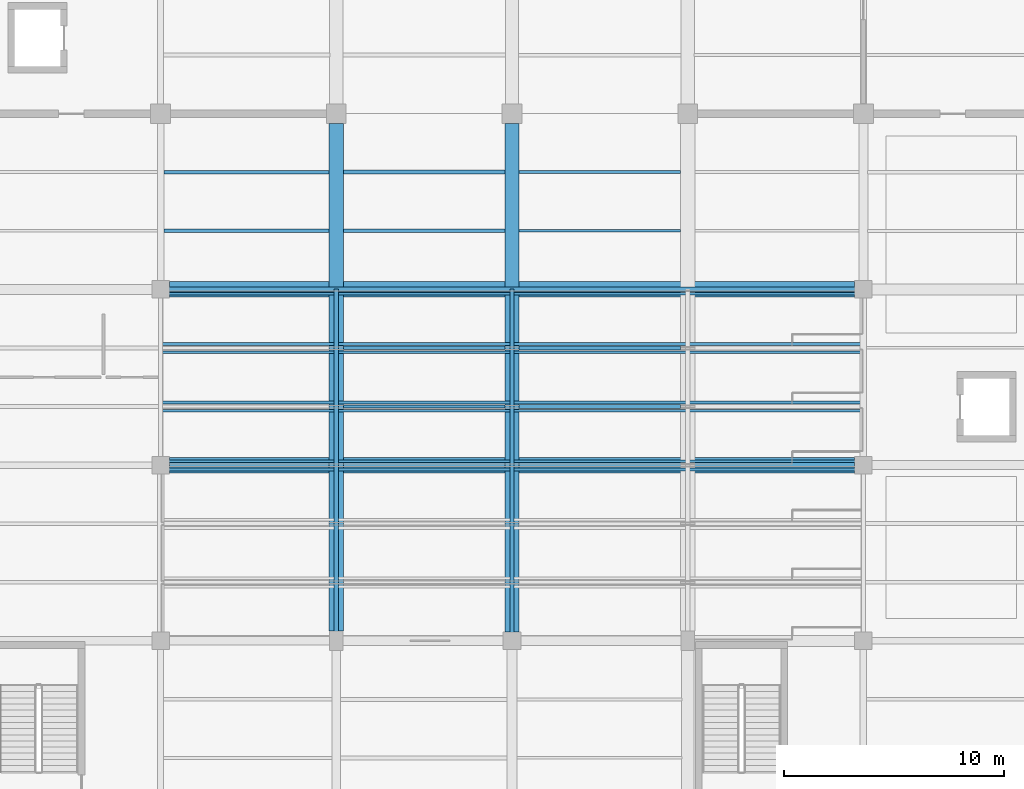
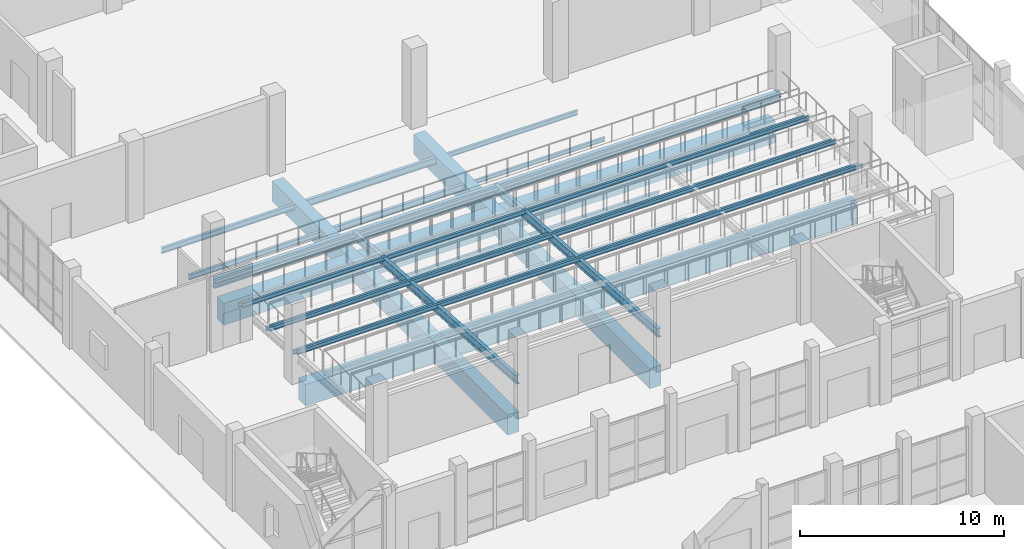
# One storey, part 34 of 156: 24 beams.
"""IFC4 building model written with IfcOpenShell, lengths in metres."""

from ifc_helpers import new_model, si_unit, direction, frame, origin, origin_2d, place, context, subcontext, project, spatial, rectangle, i_section, extrude, material, material_profile, profile_set, type_object, element, save


model = new_model("IFC4")

# Units and contexts
model_context = context("Model", 3, precision=1e-05, world=origin(), true_north=direction((0.0, 1.0)))
body_context = subcontext(model_context, "Body", "Model", "MODEL_VIEW")
ifc_project = project(units=[si_unit("LENGTHUNIT", "METRE"), si_unit("AREAUNIT", "SQUARE_METRE"), si_unit("VOLUMEUNIT", "CUBIC_METRE"), si_unit("PLANEANGLEUNIT", "RADIAN"), si_unit("MASSUNIT", "GRAM", prefix="KILO")], contexts=[model_context])

# Site, building, storey
site_placement = place(None, origin())
site = spatial("IfcSite", under=ifc_project, at=site_placement, CompositionType="ELEMENT")
building_placement = place(site_placement, origin())
building = spatial("IfcBuilding", under=site, at=building_placement, Name="Luwemba Playhouse", CompositionType="ELEMENT")
storey_placement = place(building_placement, origin())
storey = spatial("IfcBuildingStorey", under=building, at=storey_placement, Name="L00", CompositionType="ELEMENT", Elevation=0.0)

# Beams
ifc_material_1 = material(Name="Concrete C40/50", Category="concrete")
ifc_material_profile_1 = material_profile(ifc_material_1, rectangle(XDim=0.64990234375, YDim=1.199951171875, at=origin_2d()))
ifc_profile_set_1 = profile_set([ifc_material_profile_1], Name="Concrete C40/50")
beam_type_1 = type_object("IfcBeamType", Name="BM-RB11", PredefinedType="BEAM", material=ifc_profile_set_1)
beam_1_placement = place(storey_placement, frame((20.0, 44.449951171875, -0.89990234375), z_axis=(0.0, 1.0, 0.0), x_axis=(-1.0, 0.0, 0.0)))
element("IfcBeam", 1, at=beam_1_placement, inside=storey, type_object=beam_type_1, Name="L00 transverse girder 0028", PredefinedType="BEAM", context=body_context, shape_type="SweptSolid", body=[
    extrude(rectangle(XDim=0.64990234375, YDim=1.199951171875, at=origin_2d()), origin(), (0.0, 0.0, 1.0), 23.10009765625),
])
beam_2_placement = place(storey_placement, frame((28.0, 44.39990234375, -0.89990234375), z_axis=(0.0, 1.0, 0.0), x_axis=(-1.0, 0.0, 0.0)))
element("IfcBeam", 2, at=beam_2_placement, inside=storey, type_object=beam_type_1, Name="L00 transverse girder 0030", PredefinedType="BEAM", context=body_context, shape_type="SweptSolid", body=[
    extrude(rectangle(XDim=0.64990234375, YDim=1.199951171875, at=origin_2d()), origin(), (0.0, 0.0, 1.0), 23.150146484375),
])
ifc_material_profile_2 = material_profile(ifc_material_1, rectangle(XDim=0.699951171875, YDim=1.300048828125, at=origin_2d()))
ifc_profile_set_2 = profile_set([ifc_material_profile_2], Name="Concrete C40/50")
beam_type_2 = type_object("IfcBeamType", Name="BM-RB12", PredefinedType="BEAM", material=ifc_profile_set_2)
for number, where, z_axis, x_axis, name in (
    (3, (12.39990234375, 52.0, -0.949951171875), (1.0, 0.0, 0.0), (0.0, 1.0, 0.0), "L00 grid girder 0014"),
    (4, (12.39990234375, 60.0, -0.949951171875), (1.0, 0.0, 0.0), (0.0, 1.0, 0.0), "L00 grid girder 0017"),
):
    element("IfcBeam", number, at=place(storey_placement, frame(where, z_axis=z_axis, x_axis=x_axis)), inside=storey, type_object=beam_type_2, Name=name, PredefinedType="BEAM", context=body_context, shape_type="SweptSolid", body=[
        extrude(rectangle(XDim=0.699951171875, YDim=1.300048828125, at=origin_2d()), origin(), (0.0, 0.0, 1.0), 31.2001953125),
    ])
ifc_material_2 = material(Name="Steel S355", Category="steel")
ifc_material_profile_3 = material_profile(ifc_material_2, i_section(OverallWidth=0.199951171875, OverallDepth=0.5, WebThickness=0.01025390625, FlangeThickness=0.01611328125, FilletRadius=0.02099609375, at=origin_2d()))
ifc_profile_set_3 = profile_set([ifc_material_profile_3], Name="Steel S355")
beam_type_3 = type_object("IfcBeamType", Name="BM-RK1", PredefinedType="USERDEFINED", material=ifc_profile_set_3)
for number, where, z_axis, x_axis, name in (
    (5, (20.0, 44.0, 1.97998046875), (0.0, 0.997887107976, -0.064971684108), (-1.0, 0.0, 0.0), "RAKER girder Stalls 02"),
    (6, (28.0, 44.0, 1.97998046875), (0.0, 0.997887107976, -0.064971684108), (-1.0, 0.0, 0.0), "RAKER girder Stalls 03"),
):
    element("IfcBeam", number, at=place(storey_placement, frame(where, z_axis=z_axis, x_axis=x_axis)), inside=storey, type_object=beam_type_3, Name=name, ObjectType="RAKER", PredefinedType="USERDEFINED", context=body_context, shape_type="SweptSolid", body=[
        extrude(i_section(OverallWidth=0.199951171875, OverallDepth=0.5, WebThickness=0.01025390625, FlangeThickness=0.01611328125, FilletRadius=0.02099609375, at=origin_2d()), origin(), (0.0, 0.0, 1.0), 16.033935546875),
    ])
ifc_material_profile_4 = material_profile(ifc_material_2, i_section(OverallWidth=0.219970703125, OverallDepth=0.60009765625, WebThickness=0.011962890625, FlangeThickness=0.01904296875, FilletRadius=0.02392578125, at=origin_2d()))
ifc_profile_set_4 = profile_set([ifc_material_profile_4], Name="Steel S355")
beam_type_4 = type_object("IfcBeamType", Name="BM-SB08", PredefinedType="BEAM", material=ifc_profile_set_4)
beam_3_placement = place(storey_placement, frame((12.0, 60.0, 0.87841796875), z_axis=(1.0, 0.0, 0.0), x_axis=(0.0, 1.0, 0.0)))
element("IfcBeam", 7, at=beam_3_placement, inside=storey, type_object=beam_type_4, Name="L00 Stalls raker front support girder", PredefinedType="BEAM", context=body_context, shape_type="SweptSolid", body=[
    extrude(i_section(OverallWidth=0.219970703125, OverallDepth=0.60009765625, WebThickness=0.011962890625, FlangeThickness=0.01904296875, FilletRadius=0.02392578125, at=origin_2d()), origin(), (0.0, 0.0, 1.0), 32.0),
])
ifc_material_profile_5 = material_profile(ifc_material_2, i_section(OverallWidth=0.1201171875, OverallDepth=0.239990234375, WebThickness=0.006103515625, FlangeThickness=0.009765625, FilletRadius=0.014892578125, at=origin_2d()))
ifc_profile_set_5 = profile_set([ifc_material_profile_5], Name="Steel S355")
beam_type_5 = type_object("IfcBeamType", Name="BM-SJ03", PredefinedType="JOIST", material=ifc_profile_set_5)
for number, where, z_axis, x_axis, name in (
    (8, (12.0, 51.800048828125, 1.688232421875), (1.0, 0.0, 0.0), (0.0, 1.0, 0.0), "Stand Stalls step bearer 03-2"),
    (9, (12.0, 52.179931640625, 1.47998046875), (1.0, 0.0, 0.0), (0.0, 1.0, 0.0), "Stand Stalls step bearer 04-1"),
    (10, (12.0, 54.466796875, 1.47998046875), (1.0, 0.0, 0.0), (0.0, 1.0, 0.0), "Stand Stalls step bearer 04-2"),
    (11, (12.0, 54.8466796875, 1.271728515625), (1.0, 0.0, 0.0), (0.0, 1.0, 0.0), "Stand Stalls step bearer 05-1"),
    (12, (12.0, 57.13330078125, 1.271728515625), (1.0, 0.0, 0.0), (0.0, 1.0, 0.0), "Stand Stalls step bearer 05-2"),
    (13, (12.0, 57.51318359375, 1.063232421875), (1.0, 0.0, 0.0), (0.0, 1.0, 0.0), "Stand Stalls step bearer 06-1"),
    (14, (12.0, 59.800048828125, 1.063232421875), (1.0, 0.0, 0.0), (0.0, 1.0, 0.0), "Stand Stalls step bearer 06-2"),
):
    element("IfcBeam", number, at=place(storey_placement, frame(where, z_axis=z_axis, x_axis=x_axis)), inside=storey, type_object=beam_type_5, Name=name, PredefinedType="JOIST", context=body_context, shape_type="SweptSolid", body=[
        extrude(i_section(OverallWidth=0.1201171875, OverallDepth=0.239990234375, WebThickness=0.006103515625, FlangeThickness=0.009765625, FilletRadius=0.014892578125, at=origin_2d()), origin(), (0.0, 0.0, 1.0), 32.0),
    ])
beam_4_placement = place(storey_placement, frame((28.321044921875, 62.666748046875, -0.419921875), z_axis=(1.0, 0.0, 0.0), x_axis=(0.0, 1.0, 0.0)))
element("IfcBeam", 15, at=beam_4_placement, inside=storey, type_object=beam_type_5, Name="L00 composite floor joist 0029", PredefinedType="JOIST", context=body_context, shape_type="SweptSolid", body=[
    extrude(i_section(OverallWidth=0.1201171875, OverallDepth=0.239990234375, WebThickness=0.006103515625, FlangeThickness=0.009765625, FilletRadius=0.014892578125, at=origin_2d()), origin(), (0.0, 0.0, 1.0), 7.35791015625),
])
ifc_material_profile_6 = material_profile(ifc_material_2, i_section(OverallWidth=0.135009765625, OverallDepth=0.27001953125, WebThickness=0.006591796875, FlangeThickness=0.01025390625, FilletRadius=0.014892578125, at=origin_2d()))
ifc_profile_set_6 = profile_set([ifc_material_profile_6], Name="Steel S355")
beam_type_6 = type_object("IfcBeamType", Name="BM-SJ04", PredefinedType="JOIST", material=ifc_profile_set_6)
beam_5_placement = place(storey_placement, frame((28.321044921875, 65.333251953125, -0.43505859375), z_axis=(1.0, 0.0, 0.0), x_axis=(0.0, 1.0, 0.0)))
element("IfcBeam", 16, at=beam_5_placement, inside=storey, type_object=beam_type_6, Name="L00 composite floor joist 0030", PredefinedType="JOIST", context=body_context, shape_type="SweptSolid", body=[
    extrude(i_section(OverallWidth=0.135009765625, OverallDepth=0.27001953125, WebThickness=0.006591796875, FlangeThickness=0.01025390625, FilletRadius=0.014892578125, at=origin_2d()), origin(), (0.0, 0.0, 1.0), 7.35791015625),
])
ifc_material_profile_7 = material_profile(ifc_material_2, i_section(OverallWidth=0.14990234375, OverallDepth=0.300048828125, WebThickness=0.007080078125, FlangeThickness=0.0107421875, FilletRadius=0.014892578125, at=origin_2d()))
ifc_profile_set_7 = profile_set([ifc_material_profile_7], Name="Steel S355")
beam_type_7 = type_object("IfcBeamType", Name="BM-SJ05", PredefinedType="JOIST", material=ifc_profile_set_7)
beam_6_placement = place(storey_placement, frame((12.14599609375, 62.666748046875, -0.449951171875), z_axis=(1.0, 0.0, 0.0), x_axis=(0.0, 1.0, 0.0)))
element("IfcBeam", 17, at=beam_6_placement, inside=storey, type_object=beam_type_7, Name="L00 composite floor joist 0013", PredefinedType="JOIST", context=body_context, shape_type="SweptSolid", body=[
    extrude(i_section(OverallWidth=0.14990234375, OverallDepth=0.300048828125, WebThickness=0.007080078125, FlangeThickness=0.0107421875, FilletRadius=0.014892578125, at=origin_2d()), origin(), (0.0, 0.0, 1.0), 7.532958984375),
])
beam_7_placement = place(storey_placement, frame((20.321044921875, 54.666748046875, -0.449951171875), z_axis=(1.0, 0.0, 0.0), x_axis=(0.0, 1.0, 0.0)))
element("IfcBeam", 18, at=beam_7_placement, inside=storey, type_object=beam_type_7, Name="L00 composite floor joist 0019", PredefinedType="JOIST", context=body_context, shape_type="SweptSolid", body=[
    extrude(i_section(OverallWidth=0.14990234375, OverallDepth=0.300048828125, WebThickness=0.007080078125, FlangeThickness=0.0107421875, FilletRadius=0.014892578125, at=origin_2d()), origin(), (0.0, 0.0, 1.0), 7.35791015625),
])
ifc_material_profile_8 = material_profile(ifc_material_2, i_section(OverallWidth=0.159912109375, OverallDepth=0.330078125, WebThickness=0.007568359375, FlangeThickness=0.011474609375, FilletRadius=0.01806640625, at=origin_2d()))
ifc_profile_set_8 = profile_set([ifc_material_profile_8], Name="Steel S355")
beam_type_8 = type_object("IfcBeamType", Name="BM-SJ06", PredefinedType="JOIST", material=ifc_profile_set_8)
beam_8_placement = place(storey_placement, frame((12.14599609375, 65.333251953125, -0.465087890625), z_axis=(1.0, 0.0, 0.0), x_axis=(0.0, 1.0, 0.0)))
element("IfcBeam", 19, at=beam_8_placement, inside=storey, type_object=beam_type_8, Name="L00 composite floor joist 0014", PredefinedType="JOIST", context=body_context, shape_type="SweptSolid", body=[
    extrude(i_section(OverallWidth=0.159912109375, OverallDepth=0.330078125, WebThickness=0.007568359375, FlangeThickness=0.011474609375, FilletRadius=0.01806640625, at=origin_2d()), origin(), (0.0, 0.0, 1.0), 7.532958984375),
])
beam_9_placement = place(storey_placement, frame((20.321044921875, 57.333251953125, -0.465087890625), z_axis=(1.0, 0.0, 0.0), x_axis=(0.0, 1.0, 0.0)))
element("IfcBeam", 20, at=beam_9_placement, inside=storey, type_object=beam_type_8, Name="L00 composite floor joist 0020", PredefinedType="JOIST", context=body_context, shape_type="SweptSolid", body=[
    extrude(i_section(OverallWidth=0.159912109375, OverallDepth=0.330078125, WebThickness=0.007568359375, FlangeThickness=0.011474609375, FilletRadius=0.01806640625, at=origin_2d()), origin(), (0.0, 0.0, 1.0), 7.35791015625),
])
ifc_material_profile_9 = material_profile(ifc_material_2, i_section(OverallWidth=0.169921875, OverallDepth=0.360107421875, WebThickness=0.008056640625, FlangeThickness=0.0126953125, FilletRadius=0.01806640625, at=origin_2d()))
ifc_profile_set_9 = profile_set([ifc_material_profile_9], Name="Steel S355")
beam_type_9 = type_object("IfcBeamType", Name="BM-SJ07", PredefinedType="JOIST", material=ifc_profile_set_9)
for number, where, z_axis, x_axis, name in (
    (21, (20.321044921875, 62.666748046875, -0.47998046875), (1.0, 0.0, 0.0), (0.0, 1.0, 0.0), "L00 composite floor joist 0021"),
    (22, (28.321044921875, 54.666748046875, -0.47998046875), (1.0, 0.0, 0.0), (0.0, 1.0, 0.0), "L00 composite floor joist 0027"),
):
    element("IfcBeam", number, at=place(storey_placement, frame(where, z_axis=z_axis, x_axis=x_axis)), inside=storey, type_object=beam_type_9, Name=name, PredefinedType="JOIST", context=body_context, shape_type="SweptSolid", body=[
        extrude(i_section(OverallWidth=0.169921875, OverallDepth=0.360107421875, WebThickness=0.008056640625, FlangeThickness=0.0126953125, FilletRadius=0.01806640625, at=origin_2d()), origin(), (0.0, 0.0, 1.0), 7.35791015625),
    ])
ifc_material_profile_10 = material_profile(ifc_material_2, i_section(OverallWidth=0.179931640625, OverallDepth=0.39990234375, WebThickness=0.008544921875, FlangeThickness=0.013427734375, FilletRadius=0.02099609375, at=origin_2d()))
ifc_profile_set_10 = profile_set([ifc_material_profile_10], Name="Steel S355")
beam_type_10 = type_object("IfcBeamType", Name="BM-SJ08", PredefinedType="JOIST", material=ifc_profile_set_10)
for number, where, z_axis, x_axis, name in (
    (23, (20.321044921875, 65.333251953125, -0.5), (1.0, 0.0, 0.0), (0.0, 1.0, 0.0), "L00 composite floor joist 0022"),
    (24, (28.321044921875, 57.333251953125, -0.5), (1.0, 0.0, 0.0), (0.0, 1.0, 0.0), "L00 composite floor joist 0028"),
):
    element("IfcBeam", number, at=place(storey_placement, frame(where, z_axis=z_axis, x_axis=x_axis)), inside=storey, type_object=beam_type_10, Name=name, PredefinedType="JOIST", context=body_context, shape_type="SweptSolid", body=[
        extrude(i_section(OverallWidth=0.179931640625, OverallDepth=0.39990234375, WebThickness=0.008544921875, FlangeThickness=0.013427734375, FilletRadius=0.02099609375, at=origin_2d()), origin(), (0.0, 0.0, 1.0), 7.35791015625),
    ])

save(model, "model.ifc")
